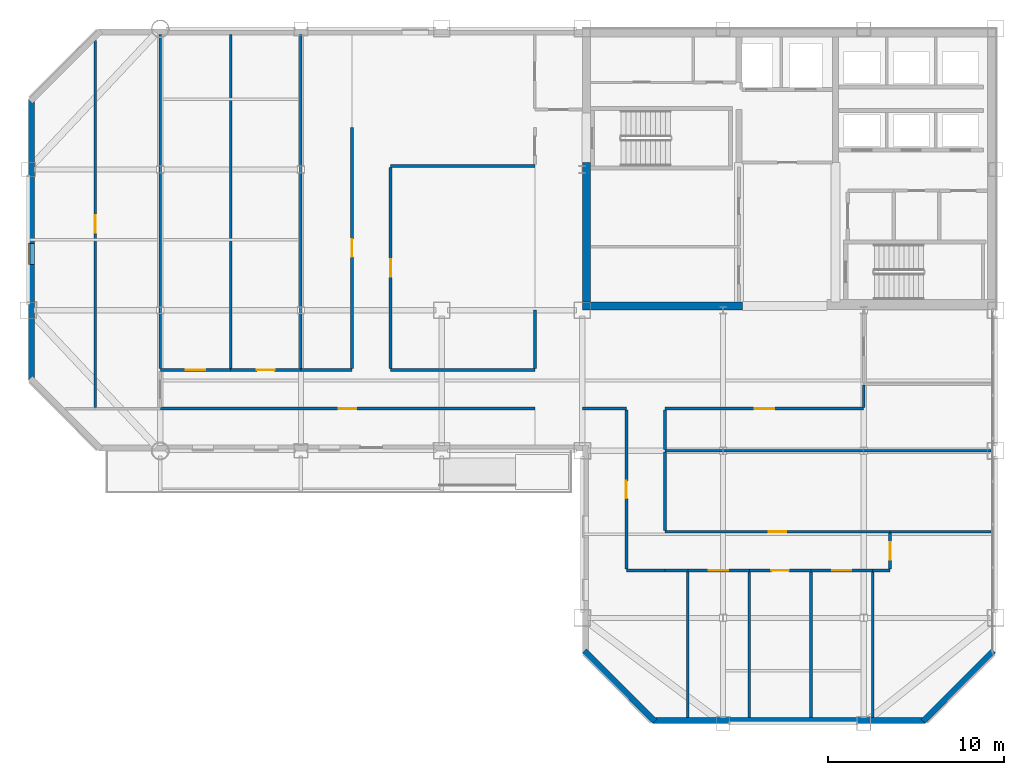
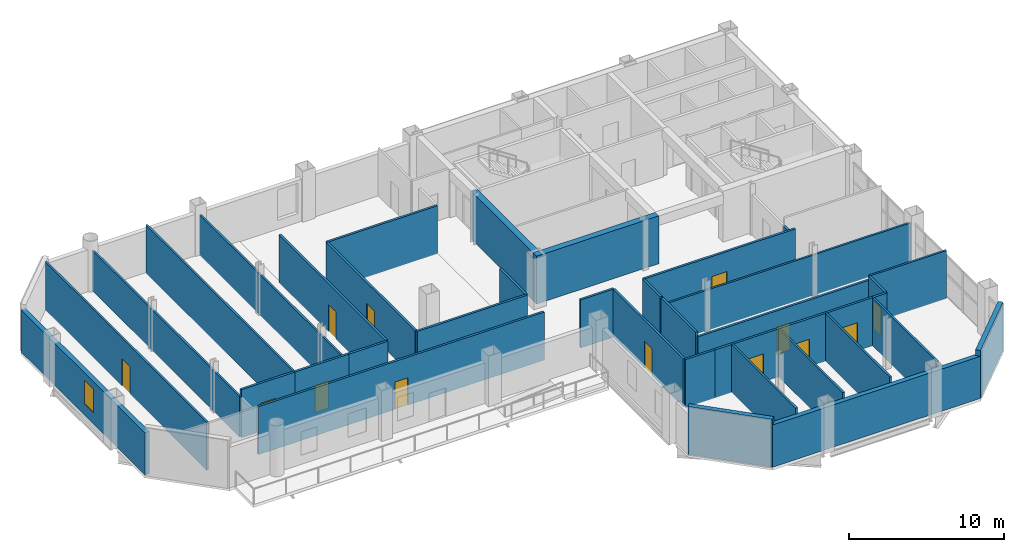
# One storey, part 8 of 14: 39 walls, 13 doors, 1 window, 14 openings.
"""IFC4 building model written with IfcOpenShell, lengths in metres."""

from ifc_helpers import new_model, si_unit, direction, frame, frame_2d, origin, place, context, subcontext, project, spatial, rectangle, extrude, material, layer, layer_set, type_object, element, fill, save


model = new_model("IFC4")

# Units and contexts
model_context = context("Model", 3, precision=1e-05, world=origin(), true_north=direction((0.0, 1.0)))
body_context = subcontext(model_context, "Body", "Model", "MODEL_VIEW")
ifc_project = project(units=[si_unit("LENGTHUNIT", "METRE"), si_unit("AREAUNIT", "SQUARE_METRE"), si_unit("VOLUMEUNIT", "CUBIC_METRE"), si_unit("PLANEANGLEUNIT", "RADIAN"), si_unit("MASSUNIT", "GRAM", prefix="KILO")], contexts=[model_context])

# Site, building, storey
site_placement = place(None, origin())
site = spatial("IfcSite", under=ifc_project, at=site_placement, CompositionType="ELEMENT")
building_placement = place(site_placement, origin())
building = spatial("IfcBuilding", under=site, at=building_placement, Name="Qianrong Seaharbour Tower", CompositionType="ELEMENT")
storey_placement = place(building_placement, frame((0.0, 0.0, 209.800048828125)))
storey = spatial("IfcBuildingStorey", under=building, at=storey_placement, Name="L50", CompositionType="ELEMENT", Elevation=209.800048828125)

# Walls
ifc_material_1 = material(Name="Concrete C60/75", Category="concrete")
ifc_layer_1 = layer(ifc_material_1, 0.4599609375)
ifc_layer_set_1 = layer_set([ifc_layer_1], Name="Concrete C60/75")
wall_type_1 = type_object("IfcWallType", Name="WALL-CORE-460", PredefinedType="SHEAR", material=ifc_layer_set_1)
wall_1_placement = place(storey_placement, frame((40.72998046875, 36.4599609375, 0.0), z_axis=(0.0, 0.0, 1.0), x_axis=(0.0, 1.0, 0.0)))
element("IfcWall", 1, at=wall_1_placement, inside=storey, type_object=wall_type_1, Name="L50 West Core Shear Wall South", PredefinedType="SHEAR", context=body_context, shape_type="SweptSolid", body=[
    extrude(rectangle(XDim=7.93994140625, YDim=0.4599609375, at=frame_2d((3.969970703125, 0.0))), origin(), (0.0, 0.0, 1.0), 3.77490234375),
])
wall_2_placement = place(storey_placement, frame((40.5, 36.22998046875, 0.0), z_axis=(0.0, 0.0, 1.0), x_axis=(1.0, 0.0, 0.0)))
element("IfcWall", 2, at=wall_2_placement, inside=storey, type_object=wall_type_1, Name="L50 South Core Shear Wall S1", PredefinedType="SHEAR", context=body_context, shape_type="SweptSolid", body=[
    extrude(rectangle(XDim=9.10009765625, YDim=0.4599609375, at=frame_2d((4.550048828125, 0.0))), origin(), (0.0, 0.0, 1.0), 3.77490234375),
])
ifc_material_2 = material(Name="Fire-rated acoustic gypsum board partition")
ifc_layer_2 = layer(ifc_material_2, 0.1650390625)
ifc_layer_set_2 = layer_set([ifc_layer_2], Name="Fire-rated acoustic gypsum board partition")
wall_type_2 = type_object("IfcWallType", Name="WALL-CORR-PART-165", PredefinedType="PARTITIONING", material=ifc_layer_set_2)
wall_3_placement = place(storey_placement, frame((29.60009765625, 32.60009765625, 0.0), z_axis=(0.0, 0.0, 1.0), x_axis=(1.0, 0.0, 0.0)))
element("IfcWall", 3, at=wall_3_placement, inside=storey, type_object=wall_type_2, Name="L50 Interior Partition Wall 017", PredefinedType="PARTITIONING", context=body_context, shape_type="SweptSolid", body=[
    extrude(rectangle(XDim=8.199951171875, YDim=0.1650390625, at=frame_2d((4.10009765625, 0.0))), origin(), (0.0, 0.0, 1.0), 3.77490234375),
])

# Wall, opening, door
wall_4_placement = place(storey_placement, frame((16.5, 32.60009765625, 0.0), z_axis=(0.0, 0.0, 1.0), x_axis=(1.0, 0.0, 0.0)))
wall_4 = element("IfcWall", 4, at=wall_4_placement, inside=storey, type_object=wall_type_2, Name="L50 Interior Partition Wall 019", PredefinedType="PARTITIONING", context=body_context, shape_type="SweptSolid", body=[
    extrude(rectangle(XDim=4.0, YDim=0.1650390625, at=frame_2d((2.0, 0.0))), origin(), (0.0, 0.0, 1.0), 3.77490234375),
])
opening_1_placement = place(wall_4_placement, frame((1.449951171875, 0.0, 0.0)))
opening_1 = element("IfcOpeningElement", 5, at=opening_1_placement, cuts=wall_4, Name="Opening DM-01", PredefinedType="OPENING", context=body_context, shape_type="SweptSolid", body=[
    extrude(rectangle(XDim=1.10009765625, YDim=2.199951171875, at=frame_2d((0.550048828125, 1.10009765625))), frame((0.0, 0.092529296875, 0.0), z_axis=(0.0, -1.0, 0.0), x_axis=(1.0, 0.0, 0.0)), (0.0, 0.0, 1.0), 0.18505859375),
])
ifc_material_3 = material(Name="Acoustic timber and galvanized steel fire door assembly", Category="steel")
door_type_1 = type_object("IfcDoorType", Name="DOOR-MEET-1100x2200", OperationType="NOTDEFINED", PredefinedType="DOOR", material=ifc_material_3)
door_1_placement = place(opening_1_placement, origin())
door_1 = element("IfcDoor", 6, at=door_1_placement, inside=storey, type_object=door_type_1, Name="L50 Meeting Room 3 Door", OperationType="SINGLE_SWING_LEFT", OverallHeight=2.199951171875, OverallWidth=1.10009765625, PredefinedType="DOOR", context=body_context, shape_type="SweptSolid", body=[
    extrude(rectangle(XDim=1.10009765625, YDim=2.199951171875, at=frame_2d((0.550048828125, 1.10009765625))), frame((0.0, 0.02490234375, 0.0), z_axis=(0.0, -1.0, 0.0), x_axis=(1.0, 0.0, 0.0)), (0.0, 0.0, 1.0), 0.050048828125),
])
fill(opening_1, door_1)

wall_5_placement = place(storey_placement, frame((20.5, 32.60009765625, 0.0), z_axis=(0.0, 0.0, 1.0), x_axis=(1.0, 0.0, 0.0)))
wall_5 = element("IfcWall", 7, at=wall_5_placement, inside=storey, type_object=wall_type_2, Name="L50 Interior Partition Wall 020", PredefinedType="PARTITIONING", context=body_context, shape_type="SweptSolid", body=[
    extrude(rectangle(XDim=4.0, YDim=0.1650390625, at=frame_2d((2.0, 0.0))), origin(), (0.0, 0.0, 1.0), 3.77490234375),
])
opening_2_placement = place(wall_5_placement, frame((1.5, 0.0, 0.0)))
opening_2 = element("IfcOpeningElement", 8, at=opening_2_placement, cuts=wall_5, Name="Opening DO-01", PredefinedType="OPENING", context=body_context, shape_type="SweptSolid", body=[
    extrude(rectangle(XDim=1.0, YDim=2.14990234375, at=frame_2d((0.5, 1.074951171875))), frame((0.0, 0.092529296875, 0.0), z_axis=(0.0, -1.0, 0.0), x_axis=(1.0, 0.0, 0.0)), (0.0, 0.0, 1.0), 0.18505859375),
])
door_type_2 = type_object("IfcDoorType", Name="DOOR-OFFICE-1000x2150", OperationType="NOTDEFINED", PredefinedType="DOOR", material=ifc_material_3)
door_2_placement = place(opening_2_placement, origin())
door_2 = element("IfcDoor", 9, at=door_2_placement, inside=storey, type_object=door_type_2, Name="L50 Executive Office 4 Door", OperationType="SINGLE_SWING_RIGHT", OverallHeight=2.14990234375, OverallWidth=1.0, PredefinedType="DOOR", context=body_context, shape_type="SweptSolid", body=[
    extrude(rectangle(XDim=1.0, YDim=2.14990234375, at=frame_2d((0.5, 1.074951171875))), frame((0.0, 0.02490234375, 0.0), z_axis=(0.0, -1.0, 0.0), x_axis=(1.0, 0.0, 0.0)), (0.0, 0.0, 1.0), 0.050048828125),
])
fill(opening_2, door_2)

# Wall
wall_6_placement = place(storey_placement, frame((24.5, 32.60009765625, 0.0), z_axis=(0.0, 0.0, 1.0), x_axis=(1.0, 0.0, 0.0)))
element("IfcWall", 10, at=wall_6_placement, inside=storey, type_object=wall_type_2, Name="L50 Interior Partition Wall 021", PredefinedType="PARTITIONING", context=body_context, shape_type="SweptSolid", body=[
    extrude(rectangle(XDim=2.89990234375, YDim=0.1650390625, at=frame_2d((1.449951171875, 0.0))), origin(), (0.0, 0.0, 1.0), 3.77490234375),
])

# Wall, opening, door
wall_7_placement = place(storey_placement, frame((37.800048828125, 30.39990234375, 0.0), z_axis=(0.0, 0.0, 1.0), x_axis=(-1.0, 0.0, 0.0)))
wall_7 = element("IfcWall", 11, at=wall_7_placement, inside=storey, type_object=wall_type_2, Name="L50 Interior Partition Wall 022", PredefinedType="PARTITIONING", context=body_context, shape_type="SweptSolid", body=[
    extrude(rectangle(XDim=21.300048828125, YDim=0.1650390625, at=frame_2d((10.64990234375, 0.0))), origin(), (0.0, 0.0, 1.0), 3.77490234375),
])
opening_3_placement = place(wall_7_placement, frame((10.14990234375, 0.0, 0.0)))
opening_3 = element("IfcOpeningElement", 12, at=opening_3_placement, cuts=wall_7, Name="Opening DO-01", PredefinedType="OPENING", context=body_context, shape_type="SweptSolid", body=[
    extrude(rectangle(XDim=1.0, YDim=2.14990234375, at=frame_2d((0.5, 1.074951171875))), frame((0.0, 0.092529296875, 0.0), z_axis=(0.0, -1.0, 0.0), x_axis=(1.0, 0.0, 0.0)), (0.0, 0.0, 1.0), 0.18505859375),
])
door_3_placement = place(opening_3_placement, origin())
door_3 = element("IfcDoor", 13, at=door_3_placement, inside=storey, type_object=door_type_2, Name="L50 Executive Office 1 Door", OperationType="SINGLE_SWING_LEFT", OverallHeight=2.14990234375, OverallWidth=1.0, PredefinedType="DOOR", context=body_context, shape_type="SweptSolid", body=[
    extrude(rectangle(XDim=1.0, YDim=2.14990234375, at=frame_2d((0.5, 1.074951171875))), frame((0.0, 0.02490234375, 0.0), z_axis=(0.0, -1.0, 0.0), x_axis=(1.0, 0.0, 0.0)), (0.0, 0.0, 1.0), 0.050048828125),
])
fill(opening_3, door_3)

wall_8_placement = place(storey_placement, frame((29.60009765625, 44.12548828125, 0.0), z_axis=(0.0, 0.0, 1.0), x_axis=(0.0, -1.0, 0.0)))
wall_8 = element("IfcWall", 14, at=wall_8_placement, inside=storey, type_object=wall_type_2, Name="L50 Interior Partition Wall 023", PredefinedType="PARTITIONING", context=body_context, shape_type="SweptSolid", body=[
    extrude(rectangle(XDim=11.450927734375, YDim=0.1650390625, at=frame_2d((5.7255859375, 0.0))), origin(), (0.0, 0.0, 1.0), 3.77490234375),
])
opening_4_placement = place(wall_8_placement, frame((5.2255859375, 0.0, 0.0)))
opening_4 = element("IfcOpeningElement", 15, at=opening_4_placement, cuts=wall_8, Name="Opening DO-01", PredefinedType="OPENING", context=body_context, shape_type="SweptSolid", body=[
    extrude(rectangle(XDim=1.0, YDim=2.14990234375, at=frame_2d((0.5, 1.074951171875))), frame((0.0, 0.092529296875, 0.0), z_axis=(0.0, -1.0, 0.0), x_axis=(1.0, 0.0, 0.0)), (0.0, 0.0, 1.0), 0.18505859375),
])
door_4_placement = place(opening_4_placement, origin())
door_4 = element("IfcDoor", 16, at=door_4_placement, inside=storey, type_object=door_type_2, Name="L50 Open-Plan Office Door", OperationType="SINGLE_SWING_RIGHT", OverallHeight=2.14990234375, OverallWidth=1.0, PredefinedType="DOOR", context=body_context, shape_type="SweptSolid", body=[
    extrude(rectangle(XDim=1.0, YDim=2.14990234375, at=frame_2d((0.5, 1.074951171875))), frame((0.0, 0.02490234375, 0.0), z_axis=(0.0, -1.0, 0.0), x_axis=(1.0, 0.0, 0.0)), (0.0, 0.0, 1.0), 0.050048828125),
])
fill(opening_4, door_4)

wall_9_placement = place(storey_placement, frame((27.39990234375, 32.674560546875, 0.0), z_axis=(0.0, 0.0, 1.0), x_axis=(0.0, 1.0, 0.0)))
wall_9 = element("IfcWall", 17, at=wall_9_placement, inside=storey, type_object=wall_type_2, Name="L50 Interior Partition Wall 024", PredefinedType="PARTITIONING", context=body_context, shape_type="SweptSolid", body=[
    extrude(rectangle(XDim=13.725341796875, YDim=0.1650390625, at=frame_2d((6.86279296875, 0.0))), origin(), (0.0, 0.0, 1.0), 3.77490234375),
])
opening_5_placement = place(wall_9_placement, frame((6.36279296875, 0.0, 0.0)))
opening_5 = element("IfcOpeningElement", 18, at=opening_5_placement, cuts=wall_9, Name="Opening DO-01", PredefinedType="OPENING", context=body_context, shape_type="SweptSolid", body=[
    extrude(rectangle(XDim=1.0, YDim=2.14990234375, at=frame_2d((0.5, 1.074951171875))), frame((0.0, 0.092529296875, 0.0), z_axis=(0.0, -1.0, 0.0), x_axis=(1.0, 0.0, 0.0)), (0.0, 0.0, 1.0), 0.18505859375),
])
door_5_placement = place(opening_5_placement, origin())
door_5 = element("IfcDoor", 19, at=door_5_placement, inside=storey, type_object=door_type_2, Name="L50 Executive Office 5 Door", OperationType="SINGLE_SWING_LEFT", OverallHeight=2.14990234375, OverallWidth=1.0, PredefinedType="DOOR", context=body_context, shape_type="SweptSolid", body=[
    extrude(rectangle(XDim=1.0, YDim=2.14990234375, at=frame_2d((0.5, 1.074951171875))), frame((0.0, 0.02490234375, 0.0), z_axis=(0.0, -1.0, 0.0), x_axis=(1.0, 0.0, 0.0)), (0.0, 0.0, 1.0), 0.050048828125),
])
fill(opening_5, door_5)

# Walls
wall_10_placement = place(storey_placement, frame((37.800048828125, 44.199951171875, 0.0), z_axis=(0.0, 0.0, 1.0), x_axis=(-1.0, 0.0, 0.0)))
element("IfcWall", 20, at=wall_10_placement, inside=storey, type_object=wall_type_2, Name="L50 Interior Partition Wall 025", PredefinedType="PARTITIONING", context=body_context, shape_type="SweptSolid", body=[
    extrude(rectangle(XDim=8.199951171875, YDim=0.1650390625, at=frame_2d((4.10009765625, 0.0))), origin(), (0.0, 0.0, 1.0), 3.77490234375),
])
wall_11_placement = place(storey_placement, frame((37.800048828125, 32.674560546875, 0.0), z_axis=(0.0, 0.0, 1.0), x_axis=(0.0, 1.0, 0.0)))
element("IfcWall", 21, at=wall_11_placement, inside=storey, type_object=wall_type_2, Name="L50 Interior Partition Wall 026", PredefinedType="PARTITIONING", context=body_context, shape_type="SweptSolid", body=[
    extrude(rectangle(XDim=3.325439453125, YDim=0.1650390625, at=frame_2d((1.66259765625, 0.0))), origin(), (0.0, 0.0, 1.0), 3.77490234375),
])
wall_12_placement = place(storey_placement, frame((56.5, 31.735595703125, 0.0), z_axis=(0.0, 0.0, 1.0), x_axis=(0.0, -1.0, 0.0)))
element("IfcWall", 22, at=wall_12_placement, inside=storey, type_object=wall_type_2, Name="L50 Interior Partition Wall 027", PredefinedType="PARTITIONING", context=body_context, shape_type="SweptSolid", body=[
    extrude(rectangle(XDim=1.260986328125, YDim=0.1650390625, at=frame_2d((0.63037109375, 0.0))), origin(), (0.0, 0.0, 1.0), 3.178955078125),
])

# Wall, opening, door
wall_13_placement = place(storey_placement, frame((56.5, 30.39990234375, 0.0), z_axis=(0.0, 0.0, 1.0), x_axis=(-1.0, 0.0, 0.0)))
wall_13 = element("IfcWall", 23, at=wall_13_placement, inside=storey, type_object=wall_type_2, Name="L50 Interior Partition Wall 028", PredefinedType="PARTITIONING", context=body_context, shape_type="SweptSolid", body=[
    extrude(rectangle(XDim=11.300048828125, YDim=0.1650390625, at=frame_2d((5.64990234375, 0.0))), origin(), (0.0, 0.0, 1.0), 3.77490234375),
])
opening_6_placement = place(wall_13_placement, frame((5.10009765625, 0.0, 0.0)))
opening_6 = element("IfcOpeningElement", 24, at=opening_6_placement, cuts=wall_13, Name="Opening DM-01", PredefinedType="OPENING", context=body_context, shape_type="SweptSolid", body=[
    extrude(rectangle(XDim=1.10009765625, YDim=2.199951171875, at=frame_2d((0.550048828125, 1.10009765625))), frame((0.0, 0.092529296875, 0.0), z_axis=(0.0, -1.0, 0.0), x_axis=(1.0, 0.0, 0.0)), (0.0, 0.0, 1.0), 0.18505859375),
])
door_6_placement = place(opening_6_placement, origin())
door_6 = element("IfcDoor", 25, at=door_6_placement, inside=storey, type_object=door_type_1, Name="L50 Boardroom 2 Door", OperationType="SINGLE_SWING_LEFT", OverallHeight=2.199951171875, OverallWidth=1.10009765625, PredefinedType="DOOR", context=body_context, shape_type="SweptSolid", body=[
    extrude(rectangle(XDim=1.10009765625, YDim=2.199951171875, at=frame_2d((0.550048828125, 1.10009765625))), frame((0.0, 0.02490234375, 0.0), z_axis=(0.0, -1.0, 0.0), x_axis=(1.0, 0.0, 0.0)), (0.0, 0.0, 1.0), 0.050048828125),
])
fill(opening_6, door_6)

# Walls
wall_14_placement = place(storey_placement, frame((43.0, 30.39990234375, 0.0), z_axis=(0.0, 0.0, 1.0), x_axis=(-1.0, 0.0, 0.0)))
element("IfcWall", 26, at=wall_14_placement, inside=storey, type_object=wall_type_2, Name="L50 Interior Partition Wall 030", PredefinedType="PARTITIONING", context=body_context, shape_type="SweptSolid", body=[
    extrude(rectangle(XDim=2.5, YDim=0.1650390625, at=frame_2d((1.25, 0.0))), origin(), (0.0, 0.0, 1.0), 3.77490234375),
])
wall_15_placement = place(storey_placement, frame((45.199951171875, 27.935546875, 0.0), z_axis=(0.0, 0.0, 1.0), x_axis=(0.0, -1.0, 0.0)))
element("IfcWall", 27, at=wall_15_placement, inside=storey, type_object=wall_type_2, Name="L50 Interior Partition Wall 031", PredefinedType="PARTITIONING", context=body_context, shape_type="SweptSolid", body=[
    extrude(rectangle(XDim=4.4609375, YDim=0.1650390625, at=frame_2d((2.23046875, 0.0))), origin(), (0.0, 0.0, 1.0), 3.77490234375),
])
wall_16_placement = place(storey_placement, frame((45.199951171875, 30.325439453125, 0.0), z_axis=(0.0, 0.0, 1.0), x_axis=(0.0, -1.0, 0.0)))
element("IfcWall", 28, at=wall_16_placement, inside=storey, type_object=wall_type_2, Name="L50 Interior Partition Wall 032", PredefinedType="PARTITIONING", context=body_context, shape_type="SweptSolid", body=[
    extrude(rectangle(XDim=2.260986328125, YDim=0.1650390625, at=frame_2d((1.13037109375, 0.0))), origin(), (0.0, 0.0, 1.0), 3.77490234375),
])
wall_17_placement = place(storey_placement, frame((45.199951171875, 21.199951171875, 0.0), z_axis=(0.0, 0.0, 1.0), x_axis=(-1.0, 0.0, 0.0)))
element("IfcWall", 29, at=wall_17_placement, inside=storey, type_object=wall_type_2, Name="L50 Interior Partition Wall 033", PredefinedType="PARTITIONING", context=body_context, shape_type="SweptSolid", body=[
    extrude(rectangle(XDim=2.199951171875, YDim=0.1650390625, at=frame_2d((1.10009765625, 0.0))), origin(), (0.0, 0.0, 1.0), 3.77490234375),
])

# Wall, opening, door
wall_18_placement = place(storey_placement, frame((43.0, 21.2744140625, 0.0), z_axis=(0.0, 0.0, 1.0), x_axis=(0.0, 1.0, 0.0)))
wall_18 = element("IfcWall", 30, at=wall_18_placement, inside=storey, type_object=wall_type_2, Name="L50 Interior Partition Wall 034", PredefinedType="PARTITIONING", context=body_context, shape_type="SweptSolid", body=[
    extrude(rectangle(XDim=9.051025390625, YDim=0.1650390625, at=frame_2d((4.525390625, 0.0))), origin(), (0.0, 0.0, 1.0), 3.77490234375),
])
opening_7_placement = place(wall_18_placement, frame((4.025390625, 0.0, 0.0)))
opening_7 = element("IfcOpeningElement", 31, at=opening_7_placement, cuts=wall_18, Name="Opening DO-01", PredefinedType="OPENING", context=body_context, shape_type="SweptSolid", body=[
    extrude(rectangle(XDim=1.0, YDim=2.14990234375, at=frame_2d((0.5, 1.074951171875))), frame((0.0, 0.092529296875, 0.0), z_axis=(0.0, -1.0, 0.0), x_axis=(1.0, 0.0, 0.0)), (0.0, 0.0, 1.0), 0.18505859375),
])
door_7_placement = place(opening_7_placement, origin())
door_7 = element("IfcDoor", 32, at=door_7_placement, inside=storey, type_object=door_type_2, Name="L50 Executive Office 1 Door", OperationType="SINGLE_SWING_RIGHT", OverallHeight=2.14990234375, OverallWidth=1.0, PredefinedType="DOOR", context=body_context, shape_type="SweptSolid", body=[
    extrude(rectangle(XDim=1.0, YDim=2.14990234375, at=frame_2d((0.5, 1.074951171875))), frame((0.0, 0.02490234375, 0.0), z_axis=(0.0, -1.0, 0.0), x_axis=(1.0, 0.0, 0.0)), (0.0, 0.0, 1.0), 0.050048828125),
])
fill(opening_7, door_7)

wall_19_placement = place(storey_placement, frame((45.199951171875, 23.39990234375, 0.0), z_axis=(0.0, 0.0, 1.0), x_axis=(1.0, 0.0, 0.0)))
wall_19 = element("IfcWall", 33, at=wall_19_placement, inside=storey, type_object=wall_type_2, Name="L50 Interior Partition Wall 035", PredefinedType="PARTITIONING", context=body_context, shape_type="SweptSolid", body=[
    extrude(rectangle(XDim=12.800048828125, YDim=0.1650390625, at=frame_2d((6.39990234375, 0.0))), origin(), (0.0, 0.0, 1.0), 3.467041015625),
])
opening_8_placement = place(wall_19_placement, frame((5.89990234375, 0.0, 0.0)))
opening_8 = element("IfcOpeningElement", 34, at=opening_8_placement, cuts=wall_19, Name="Opening DO-01", PredefinedType="OPENING", context=body_context, shape_type="SweptSolid", body=[
    extrude(rectangle(XDim=1.0, YDim=2.14990234375, at=frame_2d((0.5, 1.074951171875))), frame((0.0, 0.092529296875, 0.0), z_axis=(0.0, -1.0, 0.0), x_axis=(1.0, 0.0, 0.0)), (0.0, 0.0, 1.0), 0.18505859375),
])
door_8_placement = place(opening_8_placement, origin())
door_8 = element("IfcDoor", 35, at=door_8_placement, inside=storey, type_object=door_type_2, Name="L50 Executive Office 1 Door", OperationType="SINGLE_SWING_RIGHT", OverallHeight=2.14990234375, OverallWidth=1.0, PredefinedType="DOOR", context=body_context, shape_type="SweptSolid", body=[
    extrude(rectangle(XDim=1.0, YDim=2.14990234375, at=frame_2d((0.5, 1.074951171875))), frame((0.0, 0.02490234375, 0.0), z_axis=(0.0, -1.0, 0.0), x_axis=(1.0, 0.0, 0.0)), (0.0, 0.0, 1.0), 0.050048828125),
])
fill(opening_8, door_8)

# Wall
wall_20_placement = place(storey_placement, frame((46.5, 21.199951171875, 0.0), z_axis=(0.0, 0.0, 1.0), x_axis=(-1.0, 0.0, 0.0)))
element("IfcWall", 36, at=wall_20_placement, inside=storey, type_object=wall_type_2, Name="L50 Interior Partition Wall 036", PredefinedType="PARTITIONING", context=body_context, shape_type="SweptSolid", body=[
    extrude(rectangle(XDim=1.300048828125, YDim=0.1650390625, at=frame_2d((0.64990234375, 0.0))), origin(), (0.0, 0.0, 1.0), 3.77490234375),
])

# Wall, opening, door
wall_21_placement = place(storey_placement, frame((50.0, 21.199951171875, 0.0), z_axis=(0.0, 0.0, 1.0), x_axis=(-1.0, 0.0, 0.0)))
wall_21 = element("IfcWall", 37, at=wall_21_placement, inside=storey, type_object=wall_type_2, Name="L50 Interior Partition Wall 037", PredefinedType="PARTITIONING", context=body_context, shape_type="SweptSolid", body=[
    extrude(rectangle(XDim=3.5, YDim=0.1650390625, at=frame_2d((1.75, 0.0))), origin(), (0.0, 0.0, 1.0), 3.77490234375),
])
opening_9_placement = place(wall_21_placement, frame((1.199951171875, 0.0, 0.0)))
opening_9 = element("IfcOpeningElement", 38, at=opening_9_placement, cuts=wall_21, Name="Opening DM-01", PredefinedType="OPENING", context=body_context, shape_type="SweptSolid", body=[
    extrude(rectangle(XDim=1.10009765625, YDim=2.199951171875, at=frame_2d((0.550048828125, 1.10009765625))), frame((0.0, 0.092529296875, 0.0), z_axis=(0.0, -1.0, 0.0), x_axis=(1.0, 0.0, 0.0)), (0.0, 0.0, 1.0), 0.18505859375),
])
door_9_placement = place(opening_9_placement, origin())
door_9 = element("IfcDoor", 39, at=door_9_placement, inside=storey, type_object=door_type_1, Name="L50 Meeting Room 2 Door", OperationType="SINGLE_SWING_LEFT", OverallHeight=2.199951171875, OverallWidth=1.10009765625, PredefinedType="DOOR", context=body_context, shape_type="SweptSolid", body=[
    extrude(rectangle(XDim=1.10009765625, YDim=2.199951171875, at=frame_2d((0.550048828125, 1.10009765625))), frame((0.0, 0.02490234375, 0.0), z_axis=(0.0, -1.0, 0.0), x_axis=(1.0, 0.0, 0.0)), (0.0, 0.0, 1.0), 0.050048828125),
])
fill(opening_9, door_9)

wall_22_placement = place(storey_placement, frame((53.5, 21.199951171875, 0.0), z_axis=(0.0, 0.0, 1.0), x_axis=(-1.0, 0.0, 0.0)))
wall_22 = element("IfcWall", 40, at=wall_22_placement, inside=storey, type_object=wall_type_2, Name="L50 Interior Partition Wall 038", PredefinedType="PARTITIONING", context=body_context, shape_type="SweptSolid", body=[
    extrude(rectangle(XDim=3.5, YDim=0.1650390625, at=frame_2d((1.75, 0.0))), origin(), (0.0, 0.0, 1.0), 3.77490234375),
])
opening_10_placement = place(wall_22_placement, frame((1.25, 0.0, 0.0)))
opening_10 = element("IfcOpeningElement", 41, at=opening_10_placement, cuts=wall_22, Name="Opening DO-01", PredefinedType="OPENING", context=body_context, shape_type="SweptSolid", body=[
    extrude(rectangle(XDim=1.0, YDim=2.14990234375, at=frame_2d((0.5, 1.074951171875))), frame((0.0, 0.092529296875, 0.0), z_axis=(0.0, -1.0, 0.0), x_axis=(1.0, 0.0, 0.0)), (0.0, 0.0, 1.0), 0.18505859375),
])
door_10_placement = place(opening_10_placement, origin())
door_10 = element("IfcDoor", 42, at=door_10_placement, inside=storey, type_object=door_type_2, Name="L50 Executive Office 3 Door", OperationType="SINGLE_SWING_RIGHT", OverallHeight=2.14990234375, OverallWidth=1.0, PredefinedType="DOOR", context=body_context, shape_type="SweptSolid", body=[
    extrude(rectangle(XDim=1.0, YDim=2.14990234375, at=frame_2d((0.5, 1.074951171875))), frame((0.0, 0.02490234375, 0.0), z_axis=(0.0, -1.0, 0.0), x_axis=(1.0, 0.0, 0.0)), (0.0, 0.0, 1.0), 0.050048828125),
])
fill(opening_10, door_10)

wall_23_placement = place(storey_placement, frame((57.0, 21.199951171875, 0.0), z_axis=(0.0, 0.0, 1.0), x_axis=(-1.0, 0.0, 0.0)))
wall_23 = element("IfcWall", 43, at=wall_23_placement, inside=storey, type_object=wall_type_2, Name="L50 Interior Partition Wall 039", PredefinedType="PARTITIONING", context=body_context, shape_type="SweptSolid", body=[
    extrude(rectangle(XDim=3.5, YDim=0.1650390625, at=frame_2d((1.75, 0.0))), origin(), (0.0, 0.0, 1.0), 3.77490234375),
])
opening_11_placement = place(wall_23_placement, frame((1.199951171875, 0.0, 0.0)))
opening_11 = element("IfcOpeningElement", 44, at=opening_11_placement, cuts=wall_23, Name="Opening DM-01", PredefinedType="OPENING", context=body_context, shape_type="SweptSolid", body=[
    extrude(rectangle(XDim=1.10009765625, YDim=2.199951171875, at=frame_2d((0.550048828125, 1.10009765625))), frame((0.0, 0.092529296875, 0.0), z_axis=(0.0, -1.0, 0.0), x_axis=(1.0, 0.0, 0.0)), (0.0, 0.0, 1.0), 0.18505859375),
])
door_11_placement = place(opening_11_placement, origin())
door_11 = element("IfcDoor", 45, at=door_11_placement, inside=storey, type_object=door_type_1, Name="L50 Meeting Room 4 Door", OperationType="SINGLE_SWING_LEFT", OverallHeight=2.199951171875, OverallWidth=1.10009765625, PredefinedType="DOOR", context=body_context, shape_type="SweptSolid", body=[
    extrude(rectangle(XDim=1.10009765625, YDim=2.199951171875, at=frame_2d((0.550048828125, 1.10009765625))), frame((0.0, 0.02490234375, 0.0), z_axis=(0.0, -1.0, 0.0), x_axis=(1.0, 0.0, 0.0)), (0.0, 0.0, 1.0), 0.050048828125),
])
fill(opening_11, door_11)

wall_24_placement = place(storey_placement, frame((58.0, 23.325439453125, 0.0), z_axis=(0.0, 0.0, 1.0), x_axis=(0.0, -1.0, 0.0)))
wall_24 = element("IfcWall", 46, at=wall_24_placement, inside=storey, type_object=wall_type_2, Name="L50 Interior Partition Wall 040", PredefinedType="PARTITIONING", context=body_context, shape_type="SweptSolid", body=[
    extrude(rectangle(XDim=2.051025390625, YDim=0.1650390625, at=frame_2d((1.025390625, 0.0))), origin(), (0.0, 0.0, 1.0), 3.77490234375),
])
opening_12_placement = place(wall_24_placement, frame((0.525390625, 0.0, 0.0)))
opening_12 = element("IfcOpeningElement", 47, at=opening_12_placement, cuts=wall_24, Name="Opening DO-01", PredefinedType="OPENING", context=body_context, shape_type="SweptSolid", body=[
    extrude(rectangle(XDim=1.0, YDim=2.14990234375, at=frame_2d((0.5, 1.074951171875))), frame((0.0, 0.092529296875, 0.0), z_axis=(0.0, -1.0, 0.0), x_axis=(1.0, 0.0, 0.0)), (0.0, 0.0, 1.0), 0.18505859375),
])
door_12_placement = place(opening_12_placement, origin())
door_12 = element("IfcDoor", 48, at=door_12_placement, inside=storey, type_object=door_type_2, Name="L50 Executive Office 5 Door", OperationType="SINGLE_SWING_RIGHT", OverallHeight=2.14990234375, OverallWidth=1.0, PredefinedType="DOOR", context=body_context, shape_type="SweptSolid", body=[
    extrude(rectangle(XDim=1.0, YDim=2.14990234375, at=frame_2d((0.5, 1.074951171875))), frame((0.0, 0.02490234375, 0.0), z_axis=(0.0, -1.0, 0.0), x_axis=(1.0, 0.0, 0.0)), (0.0, 0.0, 1.0), 0.050048828125),
])
fill(opening_12, door_12)

# Wall
wall_25_placement = place(storey_placement, frame((58.0, 21.199951171875, 0.0), z_axis=(0.0, 0.0, 1.0), x_axis=(-1.0, 0.0, 0.0)))
element("IfcWall", 49, at=wall_25_placement, inside=storey, type_object=wall_type_2, Name="L50 Interior Partition Wall 041", PredefinedType="PARTITIONING", context=body_context, shape_type="SweptSolid", body=[
    extrude(rectangle(XDim=1.0, YDim=0.1650390625, at=frame_2d((0.5, 0.0))), origin(), (0.0, 0.0, 1.0), 3.77490234375),
])

# Wall, opening, window
ifc_material_4 = material(Name="Unitised buff brick on Precast concrete C45/55", Category="masonry")
ifc_layer_3 = layer(ifc_material_4, 0.340087890625)
ifc_layer_set_3 = layer_set([ifc_layer_3], Name="Unitised buff brick on Precast concrete C45/55")
wall_type_3 = type_object("IfcWallType", Name="WALL-EXT-BRICK-BUFF-340", PredefinedType="SOLIDWALL", material=ifc_layer_set_3)
wall_26_placement = place(storey_placement, frame((9.169921875, 32.0, 0.0), z_axis=(0.0, 0.0, 1.0), x_axis=(0.0, 1.0, 0.0)))
wall_26 = element("IfcWall", 50, at=wall_26_placement, inside=storey, type_object=wall_type_3, Name="L50 Exterior Masonry Facade Wall WEST_TIP", PredefinedType="SOLIDWALL", context=body_context, shape_type="SweptSolid", body=[
    extrude(rectangle(XDim=16.0, YDim=0.340087890625, at=frame_2d((8.0, 0.0))), origin(), (0.0, 0.0, 1.0), 3.324951171875),
])
opening_13_placement = place(wall_26_placement, frame((6.60009765625, 0.0, 0.89990234375)))
opening_13 = element("IfcOpeningElement", 51, at=opening_13_placement, cuts=wall_26, Name="Opening WN-01", PredefinedType="OPENING", context=body_context, shape_type="SweptSolid", body=[
    extrude(rectangle(XDim=1.199951171875, YDim=1.85009765625, at=frame_2d((0.60009765625, 0.925048828125))), frame((0.0, 0.18017578125, 0.0), z_axis=(0.0, -1.0, 0.0), x_axis=(1.0, 0.0, 0.0)), (0.0, 0.0, 1.0), 0.360107421875),
])
ifc_material_5 = material(Name="Insulated low-e double glazing in thermally broken aluminium 6063-T6 frame", Category="aluminium")
window_type = type_object("IfcWindowType", Name="WIN-PUNCH-1200x1850", PartitioningType="DOUBLE_PANEL_VERTICAL", PredefinedType="WINDOW", material=ifc_material_5)
window_placement = place(opening_13_placement, origin())
window = element("IfcWindow", 52, at=window_placement, inside=storey, type_object=window_type, Name="L50 Deep-Set Punched Window 03.02", OverallHeight=1.85009765625, OverallWidth=1.199951171875, PartitioningType="DOUBLE_PANEL_VERTICAL", PredefinedType="WINDOW", context=body_context, shape_type="SweptSolid", body=[
    extrude(rectangle(XDim=1.199951171875, YDim=1.85009765625, at=frame_2d((0.60009765625, 0.925048828125))), frame((0.0, 0.150146484375, 0.0), z_axis=(0.0, -1.0, 0.0), x_axis=(1.0, 0.0, 0.0)), (0.0, 0.0, 1.0), 0.06005859375),
])
fill(opening_13, window)

# Walls
wall_27_placement = place(storey_placement, frame((63.8798828125, 16.6201171875, 0.0), z_axis=(0.0, 0.0, 1.0), x_axis=(-0.707106781187, -0.707106781187, 0.0)))
element("IfcWall", 53, at=wall_27_placement, inside=storey, type_object=wall_type_3, Name="L50 Exterior Masonry Facade Wall E07", PredefinedType="SOLIDWALL", context=body_context, shape_type="SweptSolid", body=[
    extrude(rectangle(XDim=5.65673828125, YDim=0.340087890625, at=frame_2d((2.828369140625, 0.0))), origin(), (0.0, 0.0, 1.0), 3.77490234375),
])
wall_28_placement = place(storey_placement, frame((60.0, 12.669921875, 0.0), z_axis=(0.0, 0.0, 1.0), x_axis=(-1.0, 0.0, 0.0)))
element("IfcWall", 54, at=wall_28_placement, inside=storey, type_object=wall_type_3, Name="L50 Exterior Masonry Facade Wall SOUTH_TIP", PredefinedType="SOLIDWALL", context=body_context, shape_type="SweptSolid", body=[
    extrude(rectangle(XDim=15.5, YDim=0.340087890625, at=frame_2d((7.75, 0.0))), origin(), (0.0, 0.0, 1.0), 3.324951171875),
])
wall_29_placement = place(storey_placement, frame((44.6201171875, 12.6201171875, 0.0), z_axis=(0.0, 0.0, 1.0), x_axis=(-0.707106781187, 0.707106781187, 0.0)))
element("IfcWall", 55, at=wall_29_placement, inside=storey, type_object=wall_type_3, Name="L50 Exterior Masonry Facade Wall E09", PredefinedType="SOLIDWALL", context=body_context, shape_type="SweptSolid", body=[
    extrude(rectangle(XDim=5.65673828125, YDim=0.340087890625, at=frame_2d((2.828369140625, 0.0))), origin(), (0.0, 0.0, 1.0), 3.77490234375),
])

# Wall, opening, door
ifc_material_6 = material(Name="Acoustic gypsum board stud partition")
ifc_layer_4 = layer(ifc_material_6, 0.14501953125)
ifc_layer_set_4 = layer_set([ifc_layer_4], Name="Acoustic gypsum board stud partition")
wall_type_4 = type_object("IfcWallType", Name="WALL-OFFICE-PART-145", PredefinedType="PARTITIONING", material=ifc_layer_set_4)
wall_30_placement = place(storey_placement, frame((12.800048828125, 51.33056640625, 0.0), z_axis=(0.0, 0.0, 1.0), x_axis=(0.0, -1.0, 0.0)))
wall_30 = element("IfcWall", 56, at=wall_30_placement, inside=storey, type_object=wall_type_4, Name="L50 Interior Partition Wall 042", PredefinedType="PARTITIONING", context=body_context, shape_type="SweptSolid", body=[
    extrude(rectangle(XDim=20.865966796875, YDim=0.14501953125, at=frame_2d((10.43310546875, 0.0))), origin(), (0.0, 0.0, 1.0), 3.77490234375),
])
opening_14_placement = place(wall_30_placement, frame((9.93310546875, 0.0, 0.0)))
opening_14 = element("IfcOpeningElement", 57, at=opening_14_placement, cuts=wall_30, Name="Opening DO-01", PredefinedType="OPENING", context=body_context, shape_type="SweptSolid", body=[
    extrude(rectangle(XDim=1.0, YDim=2.14990234375, at=frame_2d((0.5, 1.074951171875))), frame((0.0, 0.08251953125, 0.0), z_axis=(0.0, -1.0, 0.0), x_axis=(1.0, 0.0, 0.0)), (0.0, 0.0, 1.0), 0.1650390625),
])
door_13_placement = place(opening_14_placement, origin())
door_13 = element("IfcDoor", 58, at=door_13_placement, inside=storey, type_object=door_type_2, Name="L50 Executive Office 1 Door", OperationType="SINGLE_SWING_LEFT", OverallHeight=2.14990234375, OverallWidth=1.0, PredefinedType="DOOR", context=body_context, shape_type="SweptSolid", body=[
    extrude(rectangle(XDim=1.0, YDim=2.14990234375, at=frame_2d((0.5, 1.074951171875))), frame((0.0, 0.02490234375, 0.0), z_axis=(0.0, -1.0, 0.0), x_axis=(1.0, 0.0, 0.0)), (0.0, 0.0, 1.0), 0.050048828125),
])
fill(opening_14, door_13)

# Walls
wall_31_placement = place(storey_placement, frame((16.5, 51.66796875, 0.0), z_axis=(0.0, 0.0, 1.0), x_axis=(0.0, -1.0, 0.0)))
element("IfcWall", 59, at=wall_31_placement, inside=storey, type_object=wall_type_4, Name="L50 Interior Partition Wall 044", PredefinedType="PARTITIONING", context=body_context, shape_type="SweptSolid", body=[
    extrude(rectangle(XDim=18.993408203125, YDim=0.14501953125, at=frame_2d((9.49658203125, 0.0))), origin(), (0.0, 0.0, 1.0), 3.178955078125),
])
wall_32_placement = place(storey_placement, frame((20.5, 51.66796875, 0.0), z_axis=(0.0, 0.0, 1.0), x_axis=(0.0, -1.0, 0.0)))
element("IfcWall", 60, at=wall_32_placement, inside=storey, type_object=wall_type_4, Name="L50 Interior Partition Wall 046", PredefinedType="PARTITIONING", context=body_context, shape_type="SweptSolid", body=[
    extrude(rectangle(XDim=18.993408203125, YDim=0.14501953125, at=frame_2d((9.49658203125, 0.0))), origin(), (0.0, 0.0, 1.0), 3.77490234375),
])
wall_33_placement = place(storey_placement, frame((24.5, 51.66796875, 0.0), z_axis=(0.0, 0.0, 1.0), x_axis=(0.0, -1.0, 0.0)))
element("IfcWall", 61, at=wall_33_placement, inside=storey, type_object=wall_type_4, Name="L50 Interior Partition Wall 047", PredefinedType="PARTITIONING", context=body_context, shape_type="SweptSolid", body=[
    extrude(rectangle(XDim=18.993408203125, YDim=0.14501953125, at=frame_2d((9.49658203125, 0.0))), origin(), (0.0, 0.0, 1.0), 3.178955078125),
])
wall_34_placement = place(storey_placement, frame((45.199951171875, 28.0, 0.0), z_axis=(0.0, 0.0, 1.0), x_axis=(1.0, 0.0, 0.0)))
element("IfcWall", 62, at=wall_34_placement, inside=storey, type_object=wall_type_4, Name="L50 Interior Partition Wall 048", PredefinedType="PARTITIONING", context=body_context, shape_type="SweptSolid", body=[
    extrude(rectangle(XDim=18.528076171875, YDim=0.14501953125, at=frame_2d((9.26416015625, 0.0))), origin(), (0.0, 0.0, 1.0), 3.178955078125),
])
wall_35_placement = place(storey_placement, frame((63.72802734375, 23.39990234375, 0.0), z_axis=(0.0, 0.0, 1.0), x_axis=(-1.0, 0.0, 0.0)))
element("IfcWall", 63, at=wall_35_placement, inside=storey, type_object=wall_type_4, Name="L50 Interior Partition Wall 049", PredefinedType="PARTITIONING", context=body_context, shape_type="SweptSolid", body=[
    extrude(rectangle(XDim=5.72802734375, YDim=0.14501953125, at=frame_2d((2.864013671875, 0.0))), origin(), (0.0, 0.0, 1.0), 3.77490234375),
])
for number, where, z_axis, x_axis, name in (
    (64, (46.5, 21.12548828125, 0.0), (0.0, 0.0, 1.0), (0.0, -1.0, 0.0), "L50 Interior Partition Wall 051"),
    (65, (50.0, 21.12548828125, 0.0), (0.0, 0.0, 1.0), (0.0, -1.0, 0.0), "L50 Interior Partition Wall 052"),
    (66, (53.5, 21.12548828125, 0.0), (0.0, 0.0, 1.0), (0.0, -1.0, 0.0), "L50 Interior Partition Wall 053"),
    (67, (57.0, 21.12548828125, 0.0), (0.0, 0.0, 1.0), (0.0, -1.0, 0.0), "L50 Interior Partition Wall 054"),
):
    element("IfcWall", number, at=place(storey_placement, frame(where, z_axis=z_axis, x_axis=x_axis)), inside=storey, type_object=wall_type_4, Name=name, PredefinedType="PARTITIONING", context=body_context, shape_type="SweptSolid", body=[
        extrude(rectangle(XDim=8.29345703125, YDim=0.14501953125, at=frame_2d((4.146728515625, 0.0))), origin(), (0.0, 0.0, 1.0), 3.77490234375),
    ])

save(model, "model.ifc")
